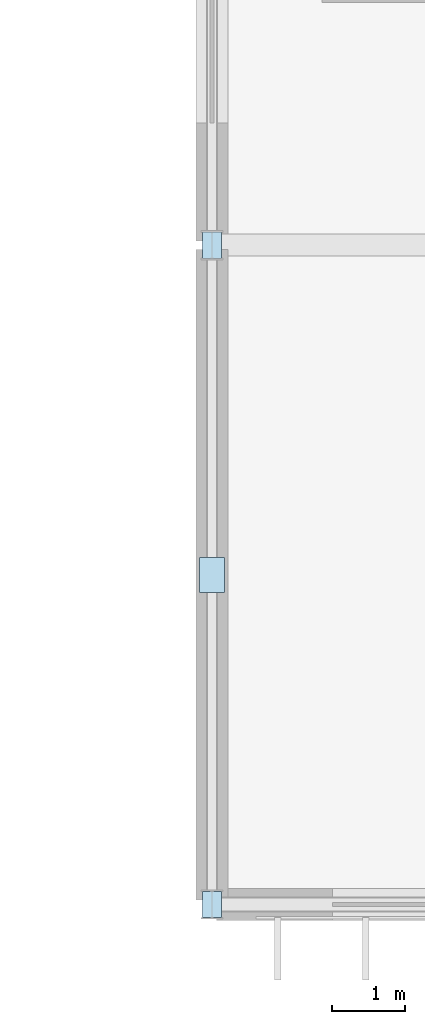
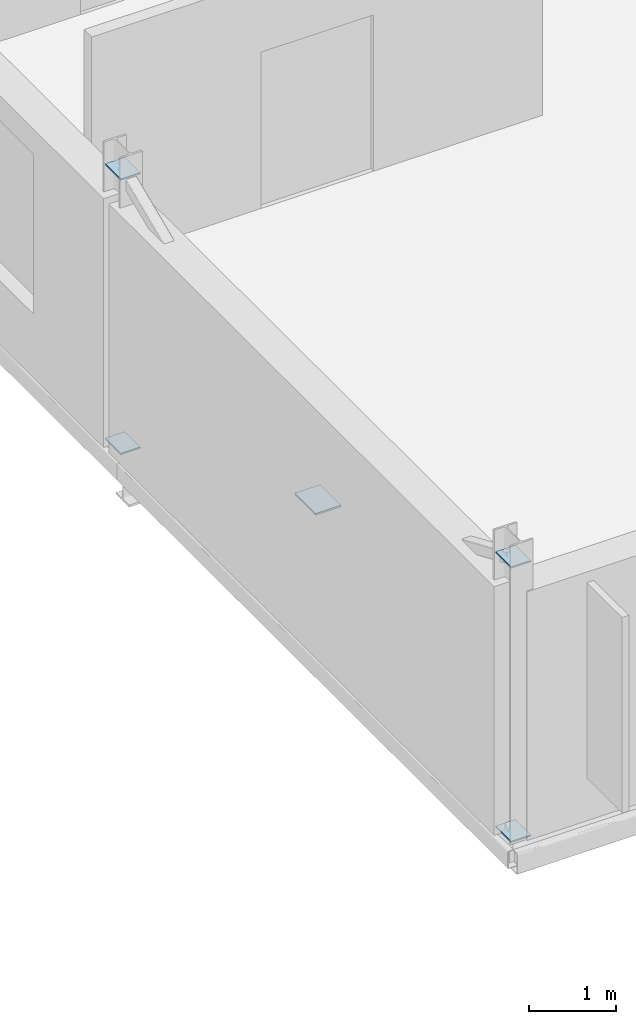
# One storey, part 131 of 161: 5 plates.
"""IFC4 building model written with IfcOpenShell, lengths in metres."""

from ifc_helpers import new_model, si_unit, direction, frame, origin, origin_2d, place, context, subcontext, project, spatial, rectangle, extrude, material, layer, layer_set, type_object, element, save


model = new_model("IFC4")

# Units and contexts
model_context = context("Model", 3, precision=1e-05, world=origin(), true_north=direction((0.0, 1.0)))
body_context = subcontext(model_context, "Body", "Model", "MODEL_VIEW")
ifc_project = project(units=[si_unit("LENGTHUNIT", "METRE"), si_unit("AREAUNIT", "SQUARE_METRE"), si_unit("VOLUMEUNIT", "CUBIC_METRE"), si_unit("PLANEANGLEUNIT", "RADIAN"), si_unit("MASSUNIT", "GRAM", prefix="KILO")], contexts=[model_context])

# Site, building, storey
site_placement = place(None, origin())
site = spatial("IfcSite", under=ifc_project, at=site_placement, CompositionType="ELEMENT")
building_placement = place(site_placement, origin())
building = spatial("IfcBuilding", under=site, at=building_placement, Name="Kildeholm Park Wholesale Market", CompositionType="ELEMENT")
storey_placement = place(building_placement, frame((0.0, 0.0, 5.39990234375)))
storey = spatial("IfcBuildingStorey", under=building, at=storey_placement, Name="L01", CompositionType="ELEMENT", Elevation=5.39990234375)

# Plates
ifc_material = material(Name="Steel S355", Category="steel")
ifc_layer_1 = layer(ifc_material, 0.02001953125)
ifc_layer_set_1 = layer_set([ifc_layer_1], Name="Steel S355")
plate_type_1 = type_object("IfcPlateType", Name="Steel connection plate EP-01 360x260x20", PredefinedType="SHEET", material=ifc_layer_set_1)
for number, where, z_axis, x_axis, name in (
    (1, (126.0, 0.0, 0.010009765625), (0.0, 0.0, 1.0), (0.0, 1.0, 0.0), "Brace end connection plate BR-V5E-L01-1 PLT-0163"),
    (2, (126.0, 9.0, 3.8701171875), (0.0, 0.0, 1.0), (0.0, 1.0, 0.0), "Brace end connection plate BR-V5E-L01-2 PLT-0164"),
    (3, (126.0, 9.0, 0.010009765625), (0.0, 0.0, 1.0), (0.0, 1.0, 0.0), "Brace end connection plate BR-V5E-L01-3 PLT-0165"),
    (4, (126.0, 0.0, 3.8701171875), (0.0, 0.0, 1.0), (0.0, 1.0, 0.0), "Brace end connection plate BR-V5E-L01-4 PLT-0166"),
):
    element("IfcPlate", number, at=place(storey_placement, frame(where, z_axis=z_axis, x_axis=x_axis)), inside=storey, type_object=plate_type_1, Name=name, PredefinedType="SHEET", context=body_context, shape_type="SweptSolid", body=[
        extrude(rectangle(XDim=0.360107421875, YDim=0.260009765625, at=origin_2d()), origin(), (0.0, 0.0, 1.0), 0.02001953125),
    ])
ifc_layer_2 = layer(ifc_material, 0.02587890625)
ifc_layer_set_2 = layer_set([ifc_layer_2], Name="Steel S355")
plate_type_2 = type_object("IfcPlateType", Name="Steel connection plate GP-02 480x340x26", PredefinedType="SHEET", material=ifc_layer_set_2)
plate_placement = place(storey_placement, frame((126.0, 4.5, 1.937255859375), z_axis=(0.0, 0.0, 1.0), x_axis=(0.0, 1.0, 0.0)))
element("IfcPlate", 5, at=plate_placement, inside=storey, type_object=plate_type_2, Name="X-brace crossing gusset plate BR-V5E-L01 PLT-0162", PredefinedType="SHEET", context=body_context, shape_type="SweptSolid", body=[
    extrude(rectangle(XDim=0.47998046875, YDim=0.340087890625, at=origin_2d()), origin(), (0.0, 0.0, 1.0), 0.02587890625),
])

save(model, "model.ifc")
